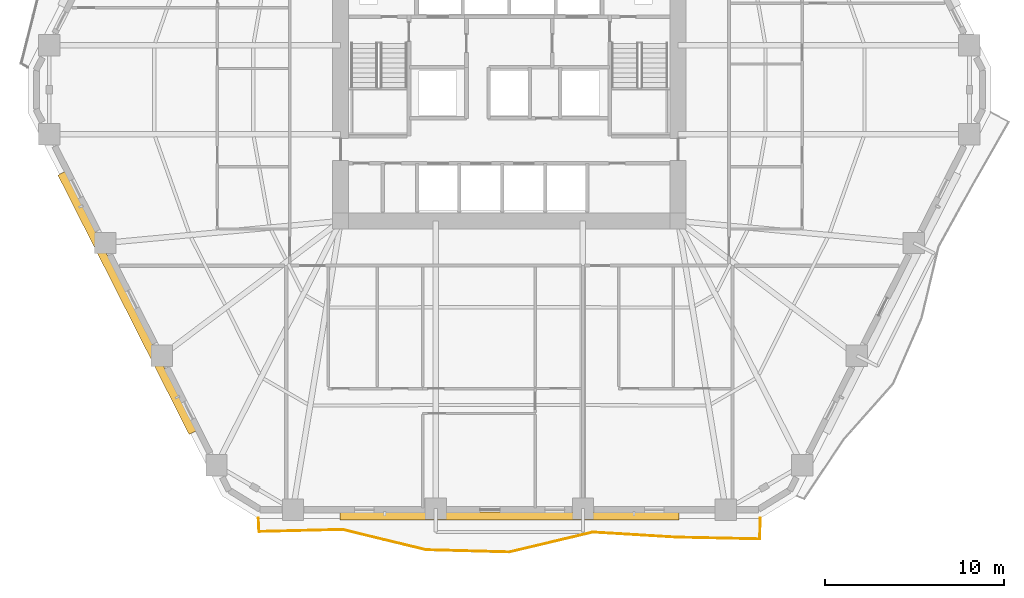
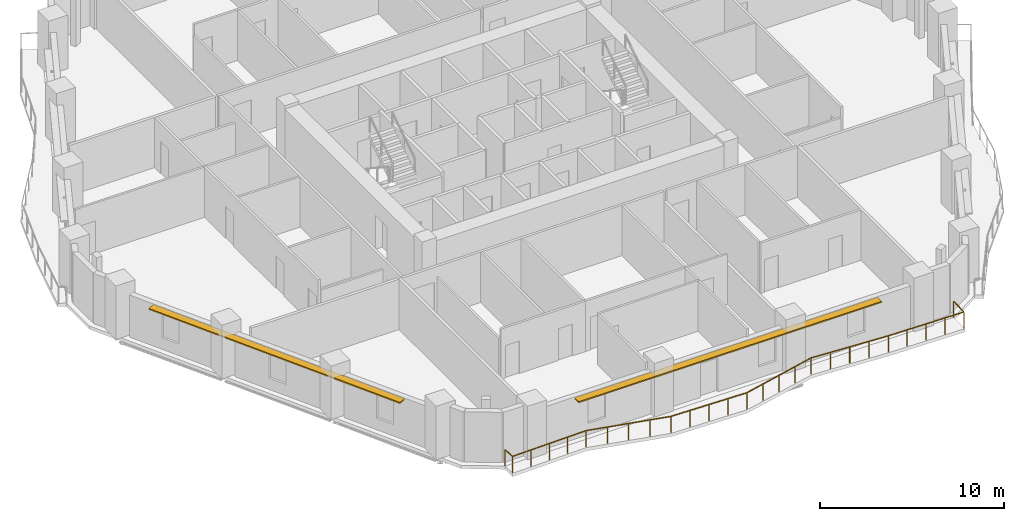
# One storey, part 11 of 14: 2 shading devices, 1 railing.
"""IFC4 building model written with IfcOpenShell, lengths in metres."""

from ifc_helpers import new_model, si_unit, direction, frame, origin, origin_2d, place, context, subcontext, project, spatial, rectangle, extrude, material, layer, layer_set, type_object, element, save


model = new_model("IFC4")

# Units and contexts
model_context = context("Model", 3, precision=1e-05, world=origin(), true_north=direction((0.0, 1.0)))
body_context = subcontext(model_context, "Body", "Model", "MODEL_VIEW")
ifc_project = project(units=[si_unit("LENGTHUNIT", "METRE"), si_unit("AREAUNIT", "SQUARE_METRE"), si_unit("VOLUMEUNIT", "CUBIC_METRE"), si_unit("PLANEANGLEUNIT", "RADIAN"), si_unit("MASSUNIT", "GRAM", prefix="KILO")], contexts=[model_context])

# Site, building, storey
site_placement = place(None, origin())
site = spatial("IfcSite", under=ifc_project, at=site_placement, CompositionType="ELEMENT")
building_placement = place(site_placement, origin())
building = spatial("IfcBuilding", under=site, at=building_placement, Name="Cinnabar Lancet Tower", CompositionType="ELEMENT")
storey_placement = place(building_placement, frame((0.0, 0.0, 53.300048828125)))
storey = spatial("IfcBuildingStorey", under=building, at=storey_placement, Name="L13", CompositionType="ELEMENT", Elevation=53.300048828125)

# Railing
ifc_material_1 = material(Name="Laminated safety glass and bronze stainless steel balustrade", Category="steel")
railing_type = type_object("IfcRailingType", Name="ENV-RLG-BAL-1100", PredefinedType="BALUSTRADE", material=ifc_material_1)
railing_placement = place(storey_placement, frame((18.343994140625, 1.800048828125, 0.0)))
element("IfcRailing", 1, at=railing_placement, inside=storey, type_object=railing_type, Name="L13 Face 1 Wave Balcony Balustrade", PredefinedType="BALUSTRADE", context=body_context, shape_type="SweptSolid", body=[
    extrude(rectangle(XDim=0.048095703125, YDim=0.048095703125, at=origin_2d()), frame((0.0, 0.0, 1.076171875), z_axis=(0.046742048435, -0.998906993122, 0.0), x_axis=(0.998906993122, 0.046742048435, 0.0)), (0.0, 0.0, 1.0), 0.746826171875),
    extrude(rectangle(XDim=0.048095703125, YDim=0.048095703125, at=origin_2d()), frame((0.034912109375, -0.74609375, 1.076171875), z_axis=(0.999697641198, 0.024589147684, 0.0), x_axis=(-0.024589147684, 0.999697641198, 0.0)), (0.0, 0.0, 1.0), 4.676513671875),
    extrude(rectangle(XDim=0.048095703125, YDim=0.048095703125, at=origin_2d()), frame((4.7099609375, -0.631103515625, 1.076171875), z_axis=(0.971794773164, -0.235828155339, 0.0), x_axis=(0.235828155339, 0.971794773164, 0.0)), (0.0, 0.0, 1.0), 4.808837890625),
    extrude(rectangle(XDim=0.048095703125, YDim=0.048095703125, at=origin_2d()), frame((9.383056640625, -1.76513671875, 1.076171875), z_axis=(0.999642403666, -0.026740695438, 0.0), x_axis=(0.026740695438, 0.999642403666, 0.0)), (0.0, 0.0, 1.0), 4.674560546875),
    extrude(rectangle(XDim=0.048095703125, YDim=0.048095703125, at=origin_2d()), frame((14.055908203125, -1.89013671875, 1.076171875), z_axis=(0.972822575341, 0.231551801781, 0.0), x_axis=(-0.231551801781, 0.972822575341, 0.0)), (0.0, 0.0, 1.0), 4.802734375),
    extrude(rectangle(XDim=0.048095703125, YDim=0.048095703125, at=origin_2d()), frame((18.72802734375, -0.778076171875, 1.076171875), z_axis=(0.998160762588, -0.060622537307, 0.0), x_axis=(0.060622537307, 0.998160762588, 0.0)), (0.0, 0.0, 1.0), 4.68359375),
    extrude(rectangle(XDim=0.048095703125, YDim=0.048095703125, at=origin_2d()), frame((23.403076171875, -1.06201171875, 1.076171875), z_axis=(0.999779714257, -0.020988638839, 0.0), x_axis=(0.020988638839, 0.999779714257, 0.0)), (0.0, 0.0, 1.0), 4.676025390625),
    extrude(rectangle(XDim=0.048095703125, YDim=0.048095703125, at=origin_2d()), frame((28.078125, -1.16015625, 1.076171875), z_axis=(0.029238336093, 0.99957246846, 0.0), x_axis=(-0.99957246846, 0.029238336093, 0.0)), (0.0, 0.0, 1.0), 1.16064453125),
    extrude(rectangle(XDim=0.0419921875, YDim=0.0419921875, at=origin_2d()), origin(), (0.0, 0.0, 1.0), 1.052001953125),
    extrude(rectangle(XDim=0.0419921875, YDim=0.0419921875, at=origin_2d()), frame((0.034912109375, -0.74609375, 0.0)), (0.0, 0.0, 1.0), 1.052001953125),
    extrude(rectangle(XDim=0.0419921875, YDim=0.0419921875, at=origin_2d()), frame((1.20361328125, -0.71728515625, 0.0)), (0.0, 0.0, 1.0), 1.052001953125),
    extrude(rectangle(XDim=0.0419921875, YDim=0.0419921875, at=origin_2d()), frame((2.37255859375, -0.6884765625, 0.0)), (0.0, 0.0, 1.0), 1.052001953125),
    extrude(rectangle(XDim=0.0419921875, YDim=0.0419921875, at=origin_2d()), frame((3.541259765625, -0.659912109375, 0.0)), (0.0, 0.0, 1.0), 1.052001953125),
    extrude(rectangle(XDim=0.0419921875, YDim=0.0419921875, at=origin_2d()), frame((4.7099609375, -0.631103515625, 0.0)), (0.0, 0.0, 1.0), 1.052001953125),
    extrude(rectangle(XDim=0.0419921875, YDim=0.0419921875, at=origin_2d()), frame((5.878173828125, -0.91455078125, 0.0)), (0.0, 0.0, 1.0), 1.052001953125),
    extrude(rectangle(XDim=0.0419921875, YDim=0.0419921875, at=origin_2d()), frame((7.04638671875, -1.1982421875, 0.0)), (0.0, 0.0, 1.0), 1.052001953125),
    extrude(rectangle(XDim=0.0419921875, YDim=0.0419921875, at=origin_2d()), frame((8.21484375, -1.481689453125, 0.0)), (0.0, 0.0, 1.0), 1.052001953125),
    extrude(rectangle(XDim=0.0419921875, YDim=0.0419921875, at=origin_2d()), frame((9.383056640625, -1.76513671875, 0.0)), (0.0, 0.0, 1.0), 1.052001953125),
    extrude(rectangle(XDim=0.0419921875, YDim=0.0419921875, at=origin_2d()), frame((10.55126953125, -1.79638671875, 0.0)), (0.0, 0.0, 1.0), 1.052001953125),
    extrude(rectangle(XDim=0.0419921875, YDim=0.0419921875, at=origin_2d()), frame((11.719482421875, -1.82763671875, 0.0)), (0.0, 0.0, 1.0), 1.052001953125),
    extrude(rectangle(XDim=0.0419921875, YDim=0.0419921875, at=origin_2d()), frame((12.8876953125, -1.85888671875, 0.0)), (0.0, 0.0, 1.0), 1.052001953125),
    extrude(rectangle(XDim=0.0419921875, YDim=0.0419921875, at=origin_2d()), frame((14.055908203125, -1.89013671875, 0.0)), (0.0, 0.0, 1.0), 1.052001953125),
    extrude(rectangle(XDim=0.0419921875, YDim=0.0419921875, at=origin_2d()), frame((15.223876953125, -1.612060546875, 0.0)), (0.0, 0.0, 1.0), 1.052001953125),
    extrude(rectangle(XDim=0.0419921875, YDim=0.0419921875, at=origin_2d()), frame((16.39208984375, -1.333984375, 0.0)), (0.0, 0.0, 1.0), 1.052001953125),
    extrude(rectangle(XDim=0.0419921875, YDim=0.0419921875, at=origin_2d()), frame((17.56005859375, -1.05615234375, 0.0)), (0.0, 0.0, 1.0), 1.052001953125),
    extrude(rectangle(XDim=0.0419921875, YDim=0.0419921875, at=origin_2d()), frame((18.72802734375, -0.778076171875, 0.0)), (0.0, 0.0, 1.0), 1.052001953125),
    extrude(rectangle(XDim=0.0419921875, YDim=0.0419921875, at=origin_2d()), frame((19.896728515625, -0.84912109375, 0.0)), (0.0, 0.0, 1.0), 1.052001953125),
    extrude(rectangle(XDim=0.0419921875, YDim=0.0419921875, at=origin_2d()), frame((21.0654296875, -0.919921875, 0.0)), (0.0, 0.0, 1.0), 1.052001953125),
    extrude(rectangle(XDim=0.0419921875, YDim=0.0419921875, at=origin_2d()), frame((22.234375, -0.990966796875, 0.0)), (0.0, 0.0, 1.0), 1.052001953125),
    extrude(rectangle(XDim=0.0419921875, YDim=0.0419921875, at=origin_2d()), frame((23.403076171875, -1.06201171875, 0.0)), (0.0, 0.0, 1.0), 1.052001953125),
    extrude(rectangle(XDim=0.0419921875, YDim=0.0419921875, at=origin_2d()), frame((24.57177734375, -1.08642578125, 0.0)), (0.0, 0.0, 1.0), 1.052001953125),
    extrude(rectangle(XDim=0.0419921875, YDim=0.0419921875, at=origin_2d()), frame((25.74072265625, -1.111083984375, 0.0)), (0.0, 0.0, 1.0), 1.052001953125),
    extrude(rectangle(XDim=0.0419921875, YDim=0.0419921875, at=origin_2d()), frame((26.909423828125, -1.1357421875, 0.0)), (0.0, 0.0, 1.0), 1.052001953125),
    extrude(rectangle(XDim=0.0419921875, YDim=0.0419921875, at=origin_2d()), frame((28.078125, -1.16015625, 0.0)), (0.0, 0.0, 1.0), 1.052001953125),
    extrude(rectangle(XDim=0.0419921875, YDim=0.0419921875, at=origin_2d()), frame((28.112060546875, 0.0, 0.0)), (0.0, 0.0, 1.0), 1.052001953125),
])

# Shading devices
ifc_material_2 = material(Name="Pale limestone architectural aluminium sunshade", Category="masonry")
ifc_layer = layer(ifc_material_2, 0.080078125)
ifc_layer_set = layer_set([ifc_layer], Name="Pale limestone architectural aluminium sunshade")
shading_device_type = type_object("IfcShadingDeviceType", Name="ENV-SHD-LVR-450", PredefinedType="JALOUSIE", material=ifc_layer_set)
shading_device_1_placement = place(storey_placement, frame((32.39990234375, 1.929931640625, 2.639892578125), z_axis=(0.0, 0.0, 1.0), x_axis=(1.0, 0.0, 0.0)))
element("IfcShadingDevice", 2, at=shading_device_1_placement, inside=storey, type_object=shading_device_type, Name="L13 Face 1 Horizontal Sunshade Canopy", PredefinedType="JALOUSIE", context=body_context, shape_type="SweptSolid", body=[
    extrude(rectangle(XDim=18.993896484375, YDim=0.449951171875, at=origin_2d()), origin(), (0.0, 0.0, 1.0), 0.080078125),
])
shading_device_2_placement = place(storey_placement, frame((10.989990234375, 13.85595703125, 2.639892578125), z_axis=(0.0, 0.0, 1.0), x_axis=(0.451500573218, -0.892270829056, 0.0)))
element("IfcShadingDevice", 3, at=shading_device_2_placement, inside=storey, type_object=shading_device_type, Name="L13 Face 6 Horizontal Sunshade Canopy", PredefinedType="JALOUSIE", context=body_context, shape_type="SweptSolid", body=[
    extrude(rectangle(XDim=16.279052734375, YDim=0.449951171875, at=origin_2d()), origin(), (0.0, 0.0, 1.0), 0.080078125),
])

save(model, "model.ifc")
